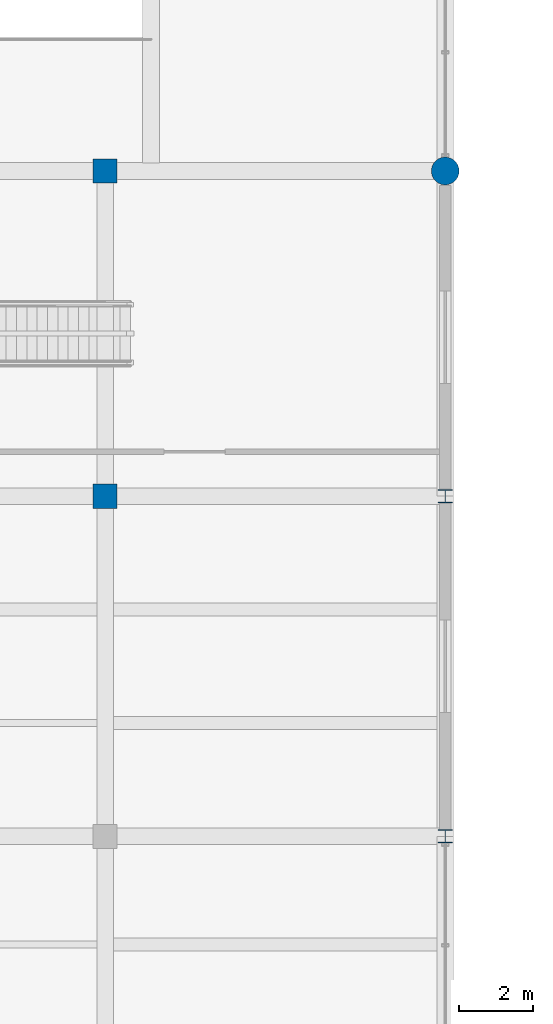
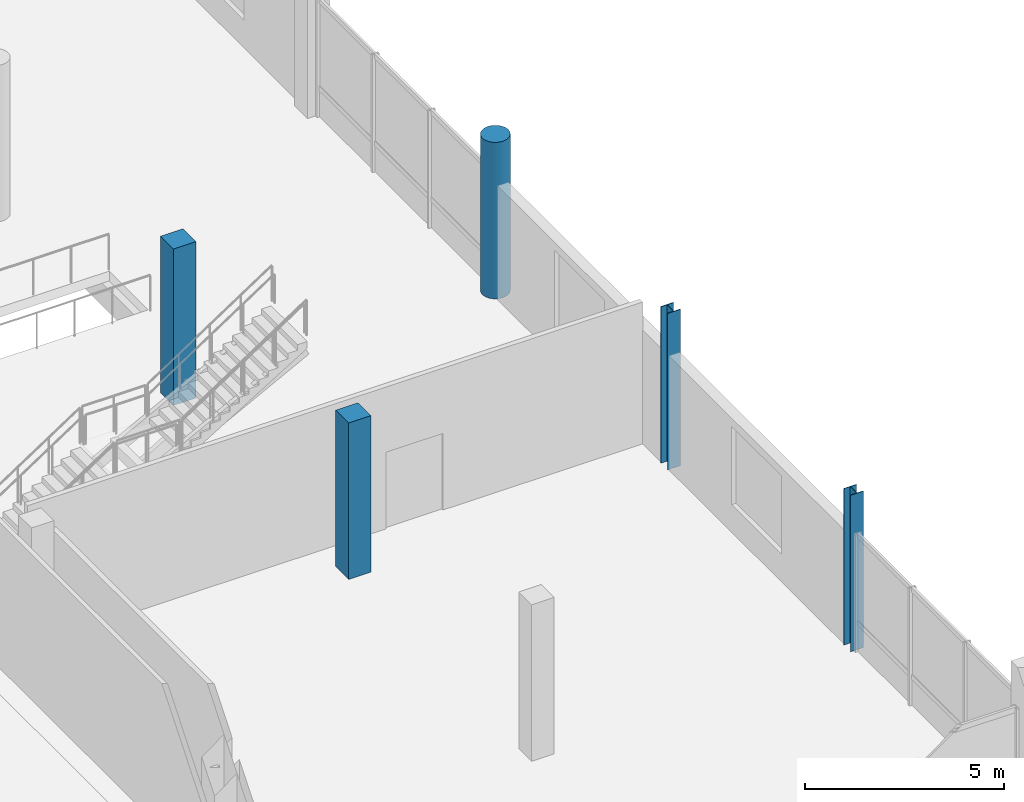
# One storey, part 5 of 71: 5 columns.
"""IFC4 building model written with IfcOpenShell, lengths in metres."""

from ifc_helpers import new_model, si_unit, direction, frame, origin, origin_2d, place, context, subcontext, project, spatial, rectangle, circle, i_section, extrude, material, material_profile, profile_set, type_object, element, save


model = new_model("IFC4")

# Units and contexts
model_context = context("Model", 3, precision=1e-05, world=origin(), true_north=direction((0.0, 1.0)))
body_context = subcontext(model_context, "Body", "Model", "MODEL_VIEW")
ifc_project = project(units=[si_unit("LENGTHUNIT", "METRE"), si_unit("AREAUNIT", "SQUARE_METRE"), si_unit("VOLUMEUNIT", "CUBIC_METRE"), si_unit("PLANEANGLEUNIT", "RADIAN"), si_unit("MASSUNIT", "GRAM", prefix="KILO")], contexts=[model_context])

# Site, building, storey
site_placement = place(None, origin())
site = spatial("IfcSite", under=ifc_project, at=site_placement, CompositionType="ELEMENT")
building_placement = place(site_placement, origin())
building = spatial("IfcBuilding", under=site, at=building_placement, Name="Meriwether Solvik Hall", CompositionType="ELEMENT")
storey_placement = place(building_placement, frame((0.0, 0.0, 5.10009765625)))
storey = spatial("IfcBuildingStorey", under=building, at=storey_placement, Name="L01", CompositionType="ELEMENT", Elevation=5.10009765625)

# Columns
ifc_material_1 = material(Name="Concrete C40/50", Category="concrete")
ifc_material_profile_1 = material_profile(ifc_material_1, rectangle(XDim=0.64990234375, YDim=0.64990234375, at=origin_2d()), Name="RCC-650X650")
ifc_profile_set_1 = profile_set([ifc_material_profile_1], Name="Concrete C40/50")
column_type_1 = type_object("IfcColumnType", Name="COL-RC-650", PredefinedType="COLUMN", material=ifc_profile_set_1)
for number, where, z_axis, x_axis, name in (
    (1, (105.0, 23.199951171875, 0.0), (0.0, 0.0, 1.0), (1.0, 0.0, 0.0), "Podium Column 12/C (L01)"),
    (2, (105.0, 32.0, 0.0), (0.0, 0.0, 1.0), (1.0, 0.0, 0.0), "Podium Column 12/D (L01)"),
):
    element("IfcColumn", number, at=place(storey_placement, frame(where, z_axis=z_axis, x_axis=x_axis)), inside=storey, type_object=column_type_1, Name=name, PredefinedType="COLUMN", context=body_context, shape_type="SweptSolid", body=[
        extrude(rectangle(XDim=0.64990234375, YDim=0.64990234375, at=origin_2d()), origin(), (0.0, 0.0, 1.0), 4.7998046875),
    ])
ifc_material_2 = material(Name="Concrete C40/50", Category="concrete")
ifc_material_profile_2 = material_profile(ifc_material_2, circle(Radius=0.375, at=origin_2d()), Name="RCC-D750")
ifc_profile_set_2 = profile_set([ifc_material_profile_2], Name="Concrete C40/50")
column_type_2 = type_object("IfcColumnType", Name="COL-RC-D750", PredefinedType="COLUMN", material=ifc_profile_set_2)
column_placement = place(storey_placement, frame((114.199951171875, 32.0, 0.0), z_axis=(0.0, 0.0, 1.0), x_axis=(1.0, 0.0, 0.0)))
element("IfcColumn", 3, at=column_placement, inside=storey, type_object=column_type_2, Name="Podium Column 13/D (L01)", PredefinedType="COLUMN", context=body_context, shape_type="SweptSolid", body=[
    extrude(circle(Radius=0.375, at=origin_2d()), origin(), (0.0, 0.0, 1.0), 4.7998046875),
])
ifc_material_3 = material(Name="Steel A992 Grade 50", Category="steel")
ifc_material_profile_3 = material_profile(ifc_material_3, i_section(OverallWidth=0.368896484375, OverallDepth=0.35595703125, WebThickness=0.01123046875, FlangeThickness=0.01806640625, at=origin_2d()), Name="W14X90")
ifc_profile_set_3 = profile_set([ifc_material_profile_3], Name="Steel A992 Grade 50")
column_type_3 = type_object("IfcColumnType", Name="COL-STL-W14X90", PredefinedType="COLUMN", material=ifc_profile_set_3)
for number, where, z_axis, x_axis, name in (
    (4, (114.199951171875, 14.0, 0.0), (0.0, 0.0, 1.0), (1.0, 0.0, 0.0), "Podium Column 13/B (L01)"),
    (5, (114.199951171875, 23.199951171875, 0.0), (0.0, 0.0, 1.0), (1.0, 0.0, 0.0), "Podium Column 13/C (L01)"),
):
    element("IfcColumn", number, at=place(storey_placement, frame(where, z_axis=z_axis, x_axis=x_axis)), inside=storey, type_object=column_type_3, Name=name, PredefinedType="COLUMN", context=body_context, shape_type="SweptSolid", body=[
        extrude(i_section(OverallWidth=0.368896484375, OverallDepth=0.35595703125, WebThickness=0.01123046875, FlangeThickness=0.01806640625, at=origin_2d()), origin(), (0.0, 0.0, 1.0), 4.7998046875),
    ])

save(model, "model.ifc")
